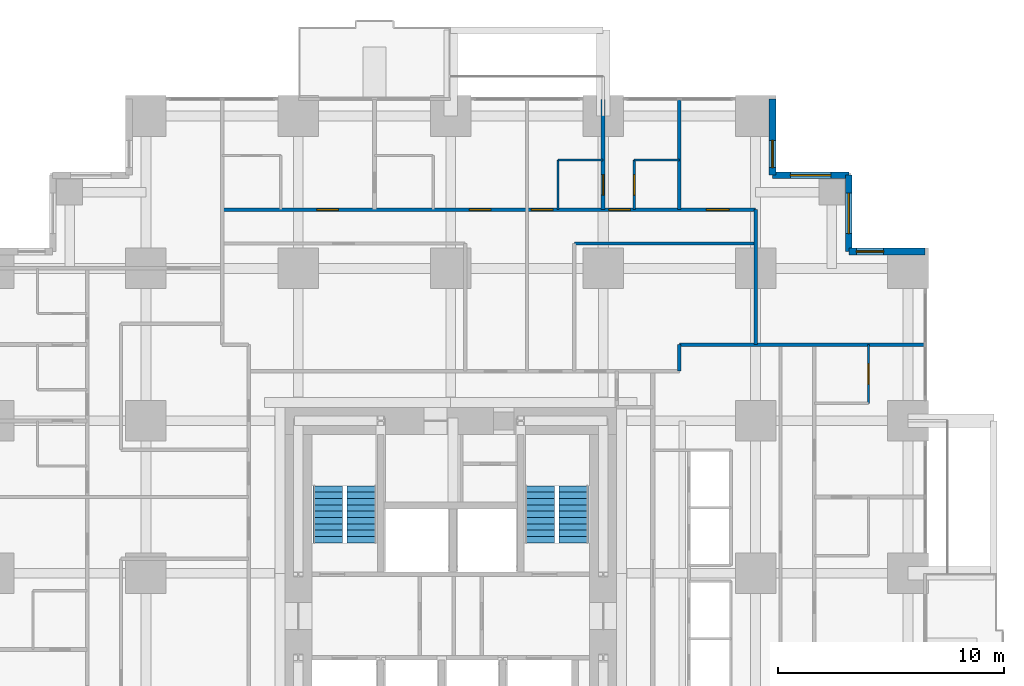
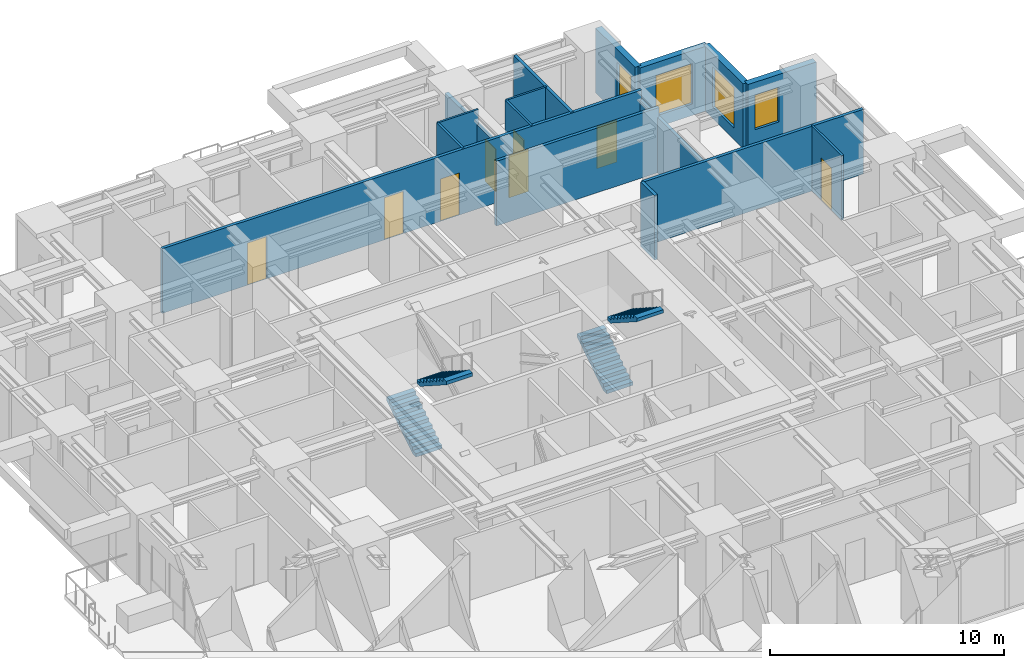
# One storey, part 13 of 14: 16 walls, 8 doors, 4 stair flights, 4 windows, 12 openings, 2 elements without a shape of their own.
"""IFC4 building model written with IfcOpenShell, lengths in metres."""

from ifc_helpers import new_model, si_unit, direction, frame, frame_2d, origin, place, context, subcontext, project, spatial, polyline, rectangle, outline, extrude, material, layer, layer_set, type_object, element, fill, aggregate, save


model = new_model("IFC4")

# Units and contexts
model_context = context("Model", 3, precision=1e-05, world=origin(), true_north=direction((0.0, 1.0)))
body_context = subcontext(model_context, "Body", "Model", "MODEL_VIEW")
ifc_project = project(units=[si_unit("LENGTHUNIT", "METRE"), si_unit("AREAUNIT", "SQUARE_METRE"), si_unit("VOLUMEUNIT", "CUBIC_METRE"), si_unit("PLANEANGLEUNIT", "RADIAN"), si_unit("MASSUNIT", "GRAM", prefix="KILO")], contexts=[model_context])

# Site, building, storey
site_placement = place(None, origin())
site = spatial("IfcSite", under=ifc_project, at=site_placement, CompositionType="ELEMENT")
building_placement = place(site_placement, origin())
building = spatial("IfcBuilding", under=site, at=building_placement, Name="Nyansa Garden Tower", CompositionType="ELEMENT")
storey_placement = place(building_placement, frame((0.0, 0.0, 68.39990234375)))
storey = spatial("IfcBuildingStorey", under=building, at=storey_placement, Name="L18", CompositionType="ELEMENT", Elevation=68.39990234375)

# Wall, opening, door
ifc_material_1 = material(Name="Dense blockwork, plastered both sides, 55 dB", Category="masonry")
ifc_layer_1 = layer(ifc_material_1, 0.175048828125)
ifc_layer_set_1 = layer_set([ifc_layer_1], Name="Acoustic party wall PW175")
wall_type_1 = type_object("IfcWallType", Name="Acoustic party wall PW175", PredefinedType="PARTITIONING", material=ifc_layer_set_1)
wall_1_placement = place(storey_placement, frame((27.0, 36.35009765625, 0.0), z_axis=(0.0, 0.0, 1.0), x_axis=(0.0, 1.0, 0.0)))
wall_1 = element("IfcWall", 1, at=wall_1_placement, inside=storey, type_object=wall_type_1, Name="Party wall", PredefinedType="PARTITIONING", context=body_context, shape_type="SweptSolid", body=[
    extrude(rectangle(XDim=4.8837890625, YDim=0.175048828125, at=frame_2d((2.44189453125, 0.0))), origin(), (0.0, 0.0, 1.0), 2.610107421875),
])
opening_1_placement = place(wall_1_placement, frame((0.64990234375, 0.0, 0.0)))
opening_1 = element("IfcOpeningElement", 2, at=opening_1_placement, cuts=wall_1, Name="Opening D02", PredefinedType="OPENING", context=body_context, shape_type="SweptSolid", body=[
    extrude(rectangle(XDim=0.89990234375, YDim=2.199951171875, at=frame_2d((0.449951171875, 1.10009765625))), frame((0.0, 0.097412109375, 0.0), z_axis=(0.0, -1.0, 0.0), x_axis=(1.0, 0.0, 0.0)), (0.0, 0.0, 1.0), 0.195068359375),
])
ifc_material_2 = material(Name="Timber flush door", Category="wood")
door_type_1 = type_object("IfcDoorType", Name="En-suite door D02 900x2200", OperationType="SINGLE_SWING_RIGHT", PredefinedType="DOOR", material=ifc_material_2)
door_1_placement = place(opening_1_placement, origin())
door_1 = element("IfcDoor", 3, at=door_1_placement, inside=storey, type_object=door_type_1, Name="Door L18-052", OperationType="SINGLE_SWING_RIGHT", OverallHeight=2.199951171875, OverallWidth=0.89990234375, PredefinedType="DOOR", context=body_context, shape_type="SweptSolid", body=[
    extrude(rectangle(XDim=0.89990234375, YDim=2.199951171875, at=frame_2d((0.449951171875, 1.10009765625))), frame((0.0, 0.02490234375, 0.0), z_axis=(0.0, -1.0, 0.0), x_axis=(1.0, 0.0, 0.0)), (0.0, 0.0, 1.0), 0.050048828125),
])
fill(opening_1, door_1)

# Wall, openings, doors
ifc_material_3 = material(Name="Blockwork, plastered both sides", Category="masonry")
ifc_layer_2 = layer(ifc_material_3, 0.14990234375)
ifc_layer_set_2 = layer_set([ifc_layer_2], Name="Partition PW150")
wall_type_2 = type_object("IfcWallType", Name="Partition PW150", PredefinedType="PARTITIONING", material=ifc_layer_set_2)
wall_2_placement = place(storey_placement, frame((10.125, 36.35009765625, 0.0), z_axis=(0.0, 0.0, 1.0), x_axis=(1.0, 0.0, 0.0)))
wall_2 = element("IfcWall", 4, at=wall_2_placement, inside=storey, type_object=wall_type_2, Name="Partition", PredefinedType="PARTITIONING", context=body_context, shape_type="SweptSolid", body=[
    extrude(rectangle(XDim=23.625, YDim=0.14990234375, at=frame_2d((11.8125, 0.0))), origin(), (0.0, 0.0, 1.0), 3.375),
])
opening_2_placement = place(wall_2_placement, frame((21.449951171875, 0.0, 0.0)))
opening_2 = element("IfcOpeningElement", 5, at=opening_2_placement, cuts=wall_2, Name="Opening D03", PredefinedType="OPENING", context=body_context, shape_type="SweptSolid", body=[
    extrude(rectangle(XDim=1.0, YDim=2.199951171875, at=frame_2d((0.5, 1.10009765625))), frame((0.0, 0.0849609375, 0.0), z_axis=(0.0, -1.0, 0.0), x_axis=(1.0, 0.0, 0.0)), (0.0, 0.0, 1.0), 0.169921875),
])
opening_3_placement = place(wall_2_placement, frame((17.125, 0.0, 0.0)))
opening_3 = element("IfcOpeningElement", 6, at=opening_3_placement, cuts=wall_2, Name="Opening D01", PredefinedType="OPENING", context=body_context, shape_type="SweptSolid", body=[
    extrude(rectangle(XDim=0.949951171875, YDim=2.199951171875, at=frame_2d((0.47509765625, 1.10009765625))), frame((0.0, 0.0849609375, 0.0), z_axis=(0.0, -1.0, 0.0), x_axis=(1.0, 0.0, 0.0)), (0.0, 0.0, 1.0), 0.169921875),
])
opening_4_placement = place(wall_2_placement, frame((13.699951171875, 0.0, 0.0)))
opening_4 = element("IfcOpeningElement", 7, at=opening_4_placement, cuts=wall_2, Name="Opening D01", PredefinedType="OPENING", context=body_context, shape_type="SweptSolid", body=[
    extrude(rectangle(XDim=0.949951171875, YDim=2.199951171875, at=frame_2d((0.47509765625, 1.10009765625))), frame((0.0, 0.0849609375, 0.0), z_axis=(0.0, -1.0, 0.0), x_axis=(1.0, 0.0, 0.0)), (0.0, 0.0, 1.0), 0.169921875),
])
opening_5_placement = place(wall_2_placement, frame((4.199951171875, 0.0, 0.0)))
opening_5 = element("IfcOpeningElement", 8, at=opening_5_placement, cuts=wall_2, Name="Opening D14", PredefinedType="OPENING", context=body_context, shape_type="SweptSolid", body=[
    extrude(rectangle(XDim=0.949951171875, YDim=2.199951171875, at=frame_2d((0.47509765625, 1.10009765625))), frame((0.0, 0.0849609375, 0.0), z_axis=(0.0, -1.0, 0.0), x_axis=(1.0, 0.0, 0.0)), (0.0, 0.0, 1.0), 0.169921875),
])
opening_6_placement = place(wall_2_placement, frame((10.949951171875, 0.0, 0.0)))
opening_6 = element("IfcOpeningElement", 9, at=opening_6_placement, cuts=wall_2, Name="Opening D14", PredefinedType="OPENING", context=body_context, shape_type="SweptSolid", body=[
    extrude(rectangle(XDim=0.949951171875, YDim=2.199951171875, at=frame_2d((0.47509765625, 1.10009765625))), frame((0.0, 0.0849609375, 0.0), z_axis=(0.0, -1.0, 0.0), x_axis=(1.0, 0.0, 0.0)), (0.0, 0.0, 1.0), 0.169921875),
])
ifc_material_4 = material(Name="Timber flush door, 30 minute fire resisting", Category="wood")
door_type_2 = type_object("IfcDoorType", Name="Bedroom door D01 950x2200", OperationType="SINGLE_SWING_LEFT", PredefinedType="DOOR", material=ifc_material_4)
door_2_placement = place(opening_3_placement, origin())
door_2 = element("IfcDoor", 10, at=door_2_placement, inside=storey, type_object=door_type_2, Name="Door L18-049", OperationType="SINGLE_SWING_LEFT", OverallHeight=2.199951171875, OverallWidth=0.949951171875, PredefinedType="DOOR", context=body_context, shape_type="SweptSolid", body=[
    extrude(rectangle(XDim=0.949951171875, YDim=2.199951171875, at=frame_2d((0.47509765625, 1.10009765625))), frame((0.0, 0.02490234375, 0.0), z_axis=(0.0, -1.0, 0.0), x_axis=(1.0, 0.0, 0.0)), (0.0, 0.0, 1.0), 0.050048828125),
])
fill(opening_3, door_2)
door_3_placement = place(opening_4_placement, origin())
door_3 = element("IfcDoor", 11, at=door_3_placement, inside=storey, type_object=door_type_2, Name="Door L18-051", OperationType="SINGLE_SWING_LEFT", OverallHeight=2.199951171875, OverallWidth=0.949951171875, PredefinedType="DOOR", context=body_context, shape_type="SweptSolid", body=[
    extrude(rectangle(XDim=0.949951171875, YDim=2.199951171875, at=frame_2d((0.47509765625, 1.10009765625))), frame((0.0, 0.02490234375, 0.0), z_axis=(0.0, -1.0, 0.0), x_axis=(1.0, 0.0, 0.0)), (0.0, 0.0, 1.0), 0.050048828125),
])
fill(opening_4, door_3)
ifc_material_5 = material(Name="Timber flush door, 60 minute fire resisting", Category="wood")
door_type_3 = type_object("IfcDoorType", Name="Cluster entrance door D03 1000x2200", OperationType="SINGLE_SWING_LEFT", PredefinedType="DOOR", material=ifc_material_5)
door_4_placement = place(opening_2_placement, origin())
door_4 = element("IfcDoor", 12, at=door_4_placement, inside=storey, type_object=door_type_3, Name="Door L18-048", OperationType="SINGLE_SWING_LEFT", OverallHeight=2.199951171875, OverallWidth=1.0, PredefinedType="DOOR", context=body_context, shape_type="SweptSolid", body=[
    extrude(rectangle(XDim=1.0, YDim=2.199951171875, at=frame_2d((0.5, 1.10009765625))), frame((0.0, 0.02490234375, 0.0), z_axis=(0.0, -1.0, 0.0), x_axis=(1.0, 0.0, 0.0)), (0.0, 0.0, 1.0), 0.050048828125),
])
fill(opening_2, door_4)
ifc_material_6 = material(Name="Timber flush door, 60 minute fire resisting, self-closing", Category="wood")
door_type_4 = type_object("IfcDoorType", Name="Studio entrance door D14 950x2200", OperationType="SINGLE_SWING_LEFT", PredefinedType="DOOR", material=ifc_material_6)
door_5_placement = place(opening_5_placement, origin())
door_5 = element("IfcDoor", 13, at=door_5_placement, inside=storey, type_object=door_type_4, Name="Door L18-054", OperationType="SINGLE_SWING_LEFT", OverallHeight=2.199951171875, OverallWidth=0.949951171875, PredefinedType="DOOR", context=body_context, shape_type="SweptSolid", body=[
    extrude(rectangle(XDim=0.949951171875, YDim=2.199951171875, at=frame_2d((0.47509765625, 1.10009765625))), frame((0.0, 0.02490234375, 0.0), z_axis=(0.0, -1.0, 0.0), x_axis=(1.0, 0.0, 0.0)), (0.0, 0.0, 1.0), 0.050048828125),
])
fill(opening_5, door_5)
door_6_placement = place(opening_6_placement, origin())
door_6 = element("IfcDoor", 14, at=door_6_placement, inside=storey, type_object=door_type_4, Name="Door L18-056", OperationType="SINGLE_SWING_LEFT", OverallHeight=2.199951171875, OverallWidth=0.949951171875, PredefinedType="DOOR", context=body_context, shape_type="SweptSolid", body=[
    extrude(rectangle(XDim=0.949951171875, YDim=2.199951171875, at=frame_2d((0.47509765625, 1.10009765625))), frame((0.0, 0.02490234375, 0.0), z_axis=(0.0, -1.0, 0.0), x_axis=(1.0, 0.0, 0.0)), (0.0, 0.0, 1.0), 0.050048828125),
])
fill(opening_6, door_6)

# Walls
wall_3_placement = place(storey_placement, frame((25.72509765625, 34.85009765625, 0.0), z_axis=(0.0, 0.0, 1.0), x_axis=(1.0, 0.0, 0.0)))
element("IfcWall", 15, at=wall_3_placement, inside=storey, type_object=wall_type_2, Name="Partition", PredefinedType="PARTITIONING", context=body_context, shape_type="SweptSolid", body=[
    extrude(rectangle(XDim=8.02490234375, YDim=0.14990234375, at=frame_2d((4.012451171875, 0.0))), origin(), (0.0, 0.0, 1.0), 3.375),
])
wall_4_placement = place(storey_placement, frame((30.375, 29.199951171875, 0.0), z_axis=(0.0, 0.0, 1.0), x_axis=(0.0, 1.0, 0.0)))
element("IfcWall", 16, at=wall_4_placement, inside=storey, type_object=wall_type_2, Name="Partition", PredefinedType="PARTITIONING", context=body_context, shape_type="SweptSolid", body=[
    extrude(rectangle(XDim=1.175048828125, YDim=0.14990234375, at=frame_2d((0.58740234375, 0.0))), origin(), (0.0, 0.0, 1.0), 3.375),
])
wall_5_placement = place(storey_placement, frame((30.375, 30.375, 0.0), z_axis=(0.0, 0.0, 1.0), x_axis=(1.0, 0.0, 0.0)))
element("IfcWall", 17, at=wall_5_placement, inside=storey, type_object=wall_type_2, Name="Partition", PredefinedType="PARTITIONING", context=body_context, shape_type="SweptSolid", body=[
    extrude(rectangle(XDim=10.85888671875, YDim=0.14990234375, at=frame_2d((5.429443359375, 0.0))), origin(), (0.0, 0.0, 1.0), 3.375),
])
wall_6_placement = place(storey_placement, frame((30.375, 36.35009765625, 0.0), z_axis=(0.0, 0.0, 1.0), x_axis=(0.0, 1.0, 0.0)))
element("IfcWall", 18, at=wall_6_placement, inside=storey, type_object=wall_type_2, Name="Partition", PredefinedType="PARTITIONING", context=body_context, shape_type="SweptSolid", body=[
    extrude(rectangle(XDim=4.8837890625, YDim=0.14990234375, at=frame_2d((2.44189453125, 0.0))), origin(), (0.0, 0.0, 1.0), 3.375),
])
wall_7_placement = place(storey_placement, frame((33.75, 30.375, 0.0), z_axis=(0.0, 0.0, 1.0), x_axis=(0.0, 1.0, 0.0)))
element("IfcWall", 19, at=wall_7_placement, inside=storey, type_object=wall_type_2, Name="Partition", PredefinedType="PARTITIONING", context=body_context, shape_type="SweptSolid", body=[
    extrude(rectangle(XDim=5.97509765625, YDim=0.14990234375, at=frame_2d((2.987548828125, 0.0))), origin(), (0.0, 0.0, 1.0), 2.877197265625),
])

# Wall, opening, window
ifc_material_7 = material(Name="Turquoise glazed tile on concrete blockwork", Category="masonry")
ifc_layer_3 = layer(ifc_material_7, 0.300048828125)
ifc_layer_set_3 = layer_set([ifc_layer_3], Name="Tiled corner wall TW300")
wall_type_3 = type_object("IfcWallType", Name="Tiled corner wall TW300", PredefinedType="SOLIDWALL", material=ifc_layer_set_3)
wall_8_placement = place(storey_placement, frame((41.25, 34.5, 0.0), z_axis=(0.0, 0.0, 1.0), x_axis=(-1.0, 0.0, 0.0)))
wall_8 = element("IfcWall", 20, at=wall_8_placement, inside=storey, type_object=wall_type_3, Name="Tiled corner wall L18", PredefinedType="SOLIDWALL", context=body_context, shape_type="SweptSolid", body=[
    extrude(rectangle(XDim=3.375, YDim=0.300048828125, at=frame_2d((1.6875, 0.0))), origin(), (0.0, 0.0, 1.0), 3.375),
])
opening_7_placement = place(wall_8_placement, frame((1.83251953125, 0.0, 0.89990234375)))
opening_7 = element("IfcOpeningElement", 21, at=opening_7_placement, cuts=wall_8, Name="Opening W4", PredefinedType="OPENING", context=body_context, shape_type="SweptSolid", body=[
    extrude(rectangle(XDim=1.199951171875, YDim=1.800048828125, at=frame_2d((0.60009765625, 0.89990234375))), frame((0.0, 0.159912109375, 0.0), z_axis=(0.0, -1.0, 0.0), x_axis=(1.0, 0.0, 0.0)), (0.0, 0.0, 1.0), 0.320068359375),
])
ifc_material_8 = material(Name="Black aluminium frame, dark tinted double glazing", Category="aluminium")
window_type_1 = type_object("IfcWindowType", Name="Window W4 1200x1800", PartitioningType="SINGLE_PANEL", PredefinedType="WINDOW", material=ifc_material_8)
window_1_placement = place(opening_7_placement, origin())
window_1 = element("IfcWindow", 22, at=window_1_placement, inside=storey, type_object=window_type_1, Name="Corner window L18", OverallHeight=1.800048828125, OverallWidth=1.199951171875, PartitioningType="SINGLE_PANEL", PredefinedType="WINDOW", context=body_context, shape_type="SweptSolid", body=[
    extrude(rectangle(XDim=1.199951171875, YDim=1.800048828125, at=frame_2d((0.60009765625, 0.89990234375))), frame((0.0, 0.030029296875, 0.0), z_axis=(0.0, -1.0, 0.0), x_axis=(1.0, 0.0, 0.0)), (0.0, 0.0, 1.0), 0.06005859375),
])
fill(opening_7, window_1)

wall_9_placement = place(storey_placement, frame((37.875, 34.5, 0.0), z_axis=(0.0, 0.0, 1.0), x_axis=(0.0, 1.0, 0.0)))
wall_9 = element("IfcWall", 23, at=wall_9_placement, inside=storey, type_object=wall_type_3, Name="Tiled corner wall L18", PredefinedType="SOLIDWALL", context=body_context, shape_type="SweptSolid", body=[
    extrude(rectangle(XDim=3.375, YDim=0.300048828125, at=frame_2d((1.6875, 0.0))), origin(), (0.0, 0.0, 1.0), 3.375),
])
opening_8_placement = place(wall_9_placement, frame((0.78759765625, 0.0, 0.60009765625)))
opening_8 = element("IfcOpeningElement", 24, at=opening_8_placement, cuts=wall_9, Name="Opening W2", PredefinedType="OPENING", context=body_context, shape_type="SweptSolid", body=[
    extrude(rectangle(XDim=1.800048828125, YDim=2.10009765625, at=frame_2d((0.89990234375, 1.050048828125))), frame((0.0, 0.159912109375, 0.0), z_axis=(0.0, -1.0, 0.0), x_axis=(1.0, 0.0, 0.0)), (0.0, 0.0, 1.0), 0.320068359375),
])
ifc_material_9 = material(Name="Black aluminium frame, dark tinted double glazing", Category="aluminium")
window_type_2 = type_object("IfcWindowType", Name="Window W2 1800x2100", PartitioningType="SINGLE_PANEL", PredefinedType="WINDOW", material=ifc_material_9)
window_2_placement = place(opening_8_placement, origin())
window_2 = element("IfcWindow", 25, at=window_2_placement, inside=storey, type_object=window_type_2, Name="Corner window L18", OverallHeight=2.10009765625, OverallWidth=1.800048828125, PartitioningType="SINGLE_PANEL", PredefinedType="WINDOW", context=body_context, shape_type="SweptSolid", body=[
    extrude(rectangle(XDim=1.800048828125, YDim=2.10009765625, at=frame_2d((0.89990234375, 1.050048828125))), frame((0.0, 0.030029296875, 0.0), z_axis=(0.0, -1.0, 0.0), x_axis=(1.0, 0.0, 0.0)), (0.0, 0.0, 1.0), 0.06005859375),
])
fill(opening_8, window_2)

wall_10_placement = place(storey_placement, frame((37.875, 37.875, 0.0), z_axis=(0.0, 0.0, 1.0), x_axis=(-1.0, 0.0, 0.0)))
wall_10 = element("IfcWall", 26, at=wall_10_placement, inside=storey, type_object=wall_type_3, Name="Tiled corner wall L18", PredefinedType="SOLIDWALL", context=body_context, shape_type="SweptSolid", body=[
    extrude(rectangle(XDim=3.375, YDim=0.300048828125, at=frame_2d((1.6875, 0.0))), origin(), (0.0, 0.0, 1.0), 3.375),
])
opening_9_placement = place(wall_10_placement, frame((0.78759765625, 0.0, 0.60009765625)))
opening_9 = element("IfcOpeningElement", 27, at=opening_9_placement, cuts=wall_10, Name="Opening W2", PredefinedType="OPENING", context=body_context, shape_type="SweptSolid", body=[
    extrude(rectangle(XDim=1.800048828125, YDim=2.10009765625, at=frame_2d((0.89990234375, 1.050048828125))), frame((0.0, 0.159912109375, 0.0), z_axis=(0.0, -1.0, 0.0), x_axis=(1.0, 0.0, 0.0)), (0.0, 0.0, 1.0), 0.320068359375),
])
window_3_placement = place(opening_9_placement, origin())
window_3 = element("IfcWindow", 28, at=window_3_placement, inside=storey, type_object=window_type_2, Name="Corner window L18", OverallHeight=2.10009765625, OverallWidth=1.800048828125, PartitioningType="SINGLE_PANEL", PredefinedType="WINDOW", context=body_context, shape_type="SweptSolid", body=[
    extrude(rectangle(XDim=1.800048828125, YDim=2.10009765625, at=frame_2d((0.89990234375, 1.050048828125))), frame((0.0, 0.030029296875, 0.0), z_axis=(0.0, -1.0, 0.0), x_axis=(1.0, 0.0, 0.0)), (0.0, 0.0, 1.0), 0.06005859375),
])
fill(opening_9, window_3)

wall_11_placement = place(storey_placement, frame((34.5, 37.875, 0.0), z_axis=(0.0, 0.0, 1.0), x_axis=(0.0, 1.0, 0.0)))
wall_11 = element("IfcWall", 29, at=wall_11_placement, inside=storey, type_object=wall_type_3, Name="Tiled corner wall L18", PredefinedType="SOLIDWALL", context=body_context, shape_type="SweptSolid", body=[
    extrude(rectangle(XDim=3.375, YDim=0.300048828125, at=frame_2d((1.6875, 0.0))), origin(), (0.0, 0.0, 1.0), 3.375),
])
opening_10_placement = place(wall_11_placement, frame((0.342529296875, 0.0, 0.89990234375)))
opening_10 = element("IfcOpeningElement", 30, at=opening_10_placement, cuts=wall_11, Name="Opening W4", PredefinedType="OPENING", context=body_context, shape_type="SweptSolid", body=[
    extrude(rectangle(XDim=1.199951171875, YDim=1.800048828125, at=frame_2d((0.60009765625, 0.89990234375))), frame((0.0, 0.159912109375, 0.0), z_axis=(0.0, -1.0, 0.0), x_axis=(1.0, 0.0, 0.0)), (0.0, 0.0, 1.0), 0.320068359375),
])
window_4_placement = place(opening_10_placement, origin())
window_4 = element("IfcWindow", 31, at=window_4_placement, inside=storey, type_object=window_type_1, Name="Corner window L18", OverallHeight=1.800048828125, OverallWidth=1.199951171875, PartitioningType="SINGLE_PANEL", PredefinedType="WINDOW", context=body_context, shape_type="SweptSolid", body=[
    extrude(rectangle(XDim=1.199951171875, YDim=1.800048828125, at=frame_2d((0.60009765625, 0.89990234375))), frame((0.0, 0.030029296875, 0.0), z_axis=(0.0, -1.0, 0.0), x_axis=(1.0, 0.0, 0.0)), (0.0, 0.0, 1.0), 0.06005859375),
])
fill(opening_10, window_4)

# Walls
ifc_material_10 = material(Name="Moisture resistant board on steel studs, tiled", Category="steel")
ifc_layer_4 = layer(ifc_material_10, 0.10009765625)
ifc_layer_set_4 = layer_set([ifc_layer_4], Name="Wet wall PW100")
wall_type_4 = type_object("IfcWallType", Name="Wet wall PW100", PredefinedType="PARTITIONING", material=ifc_layer_set_4)
wall_12_placement = place(storey_placement, frame((25.0, 36.35009765625, 0.0), z_axis=(0.0, 0.0, 1.0), x_axis=(0.0, 1.0, 0.0)))
element("IfcWall", 32, at=wall_12_placement, inside=storey, type_object=wall_type_4, Name="Wet wall", PredefinedType="PARTITIONING", context=body_context, shape_type="SweptSolid", body=[
    extrude(rectangle(XDim=2.199951171875, YDim=0.10009765625, at=frame_2d((1.10009765625, 0.0))), origin(), (0.0, 0.0, 1.0), 3.375),
])
wall_13_placement = place(storey_placement, frame((25.0, 38.550048828125, 0.0), z_axis=(0.0, 0.0, 1.0), x_axis=(1.0, 0.0, 0.0)))
element("IfcWall", 33, at=wall_13_placement, inside=storey, type_object=wall_type_4, Name="Wet wall", PredefinedType="PARTITIONING", context=body_context, shape_type="SweptSolid", body=[
    extrude(rectangle(XDim=2.0, YDim=0.10009765625, at=frame_2d((1.0, 0.0))), origin(), (0.0, 0.0, 1.0), 3.375),
])

# Wall, opening, door
wall_14_placement = place(storey_placement, frame((28.375, 36.35009765625, 0.0), z_axis=(0.0, 0.0, 1.0), x_axis=(0.0, 1.0, 0.0)))
wall_14 = element("IfcWall", 34, at=wall_14_placement, inside=storey, type_object=wall_type_4, Name="Wet wall", PredefinedType="PARTITIONING", context=body_context, shape_type="SweptSolid", body=[
    extrude(rectangle(XDim=2.199951171875, YDim=0.10009765625, at=frame_2d((1.10009765625, 0.0))), origin(), (0.0, 0.0, 1.0), 3.375),
])
opening_11_placement = place(wall_14_placement, frame((0.64990234375, 0.0, 0.0)))
opening_11 = element("IfcOpeningElement", 35, at=opening_11_placement, cuts=wall_14, Name="Opening D02", PredefinedType="OPENING", context=body_context, shape_type="SweptSolid", body=[
    extrude(rectangle(XDim=0.89990234375, YDim=2.199951171875, at=frame_2d((0.449951171875, 1.10009765625))), frame((0.0, 0.06005859375, 0.0), z_axis=(0.0, -1.0, 0.0), x_axis=(1.0, 0.0, 0.0)), (0.0, 0.0, 1.0), 0.1201171875),
])
door_7_placement = place(opening_11_placement, origin())
door_7 = element("IfcDoor", 36, at=door_7_placement, inside=storey, type_object=door_type_1, Name="Door L18-050", OperationType="SINGLE_SWING_RIGHT", OverallHeight=2.199951171875, OverallWidth=0.89990234375, PredefinedType="DOOR", context=body_context, shape_type="SweptSolid", body=[
    extrude(rectangle(XDim=0.89990234375, YDim=2.199951171875, at=frame_2d((0.449951171875, 1.10009765625))), frame((0.0, 0.02490234375, 0.0), z_axis=(0.0, -1.0, 0.0), x_axis=(1.0, 0.0, 0.0)), (0.0, 0.0, 1.0), 0.050048828125),
])
fill(opening_11, door_7)

# Wall
wall_15_placement = place(storey_placement, frame((28.375, 38.550048828125, 0.0), z_axis=(0.0, 0.0, 1.0), x_axis=(1.0, 0.0, 0.0)))
element("IfcWall", 37, at=wall_15_placement, inside=storey, type_object=wall_type_4, Name="Wet wall", PredefinedType="PARTITIONING", context=body_context, shape_type="SweptSolid", body=[
    extrude(rectangle(XDim=2.0, YDim=0.10009765625, at=frame_2d((1.0, 0.0))), origin(), (0.0, 0.0, 1.0), 3.375),
])

# Wall, opening, door
wall_16_placement = place(storey_placement, frame((38.75, 27.77490234375, 0.0), z_axis=(0.0, 0.0, 1.0), x_axis=(0.0, 1.0, 0.0)))
wall_16 = element("IfcWall", 38, at=wall_16_placement, inside=storey, type_object=wall_type_4, Name="Wet wall", PredefinedType="PARTITIONING", context=body_context, shape_type="SweptSolid", body=[
    extrude(rectangle(XDim=2.60009765625, YDim=0.10009765625, at=frame_2d((1.300048828125, 0.0))), origin(), (0.0, 0.0, 1.0), 3.375),
])
opening_12_placement = place(wall_16_placement, frame((0.85009765625, 0.0, 0.0)))
opening_12 = element("IfcOpeningElement", 39, at=opening_12_placement, cuts=wall_16, Name="Opening D02", PredefinedType="OPENING", context=body_context, shape_type="SweptSolid", body=[
    extrude(rectangle(XDim=0.89990234375, YDim=2.199951171875, at=frame_2d((0.449951171875, 1.10009765625))), frame((0.0, 0.06005859375, 0.0), z_axis=(0.0, -1.0, 0.0), x_axis=(1.0, 0.0, 0.0)), (0.0, 0.0, 1.0), 0.1201171875),
])
door_8_placement = place(opening_12_placement, origin())
door_8 = element("IfcDoor", 40, at=door_8_placement, inside=storey, type_object=door_type_1, Name="Door L18-041", OperationType="SINGLE_SWING_RIGHT", OverallHeight=2.199951171875, OverallWidth=0.89990234375, PredefinedType="DOOR", context=body_context, shape_type="SweptSolid", body=[
    extrude(rectangle(XDim=0.89990234375, YDim=2.199951171875, at=frame_2d((0.449951171875, 1.10009765625))), frame((0.0, 0.02490234375, 0.0), z_axis=(0.0, -1.0, 0.0), x_axis=(1.0, 0.0, 0.0)), (0.0, 0.0, 1.0), 0.050048828125),
])
fill(opening_12, door_8)

# Stair, stair flights
ifc_material_11 = material(Name="Precast concrete C40/50", Category="concrete")
stair_type_1 = type_object("IfcStairType", Name="Stair S1 180x280", PredefinedType="HALF_TURN_STAIR", material=ifc_material_11)
stair_1_placement = place(storey_placement, origin())
stair_1 = element("IfcStair", 41, at=stair_1_placement, inside=storey, type_object=stair_type_1, Name="Stair S1 L18", PredefinedType="HALF_TURN_STAIR")
ifc_material_12 = material(Name="Precast concrete C40/50", Category="concrete")
stair_flight_type_1 = type_object("IfcStairFlightType", Name="Stair flight S1 180x280x10", PredefinedType="STRAIGHT", material=ifc_material_12)
stair_flight_1_placement = place(storey_placement, frame((14.800048828125, 21.60009765625, 0.0), z_axis=(0.0, 0.0, 1.0), x_axis=(0.0, 1.0, 0.0)))
stair_flight_1 = element("IfcStairFlight", 42, at=stair_flight_1_placement, type_object=stair_flight_type_1, Name="S1 flight 1", NumberOfRisers=10, NumberOfTreads=9, PredefinedType="STRAIGHT", RiserHeight=0.18, TreadLength=0.28, context=body_context, shape_type="SweptSolid", body=[
    extrude(outline(polyline([(0.0, 0.0), (0.0, 0.179931640625), (0.280029296875, 0.179931640625), (0.280029296875, 0.360107421875), (0.56005859375, 0.360107421875), (0.56005859375, 0.5400390625), (0.840087890625, 0.5400390625), (0.840087890625, 0.719970703125), (1.1201171875, 0.719970703125), (1.1201171875, 0.89990234375), (1.39990234375, 0.89990234375), (1.39990234375, 1.080078125), (1.679931640625, 1.080078125), (1.679931640625, 1.260009765625), (1.9599609375, 1.260009765625), (1.9599609375, 1.43994140625), (2.239990234375, 1.43994140625), (2.239990234375, 1.6201171875), (2.52001953125, 1.6201171875), (2.52001953125, 1.800048828125), (2.52001953125, 1.44189453125), (0.277099609375, 0.0), (0.0, 0.0)])), frame((0.0, 0.64990234375, 0.0), z_axis=(0.0, -1.0, 0.0), x_axis=(1.0, 0.0, 0.0)), (0.0, 0.0, 1.0), 1.300048828125),
])
stair_flight_2_placement = place(storey_placement, frame((16.300048828125, 24.1201171875, 1.800048828125), z_axis=(0.0, 0.0, 1.0), x_axis=(0.0, -1.0, 0.0)))
stair_flight_2 = element("IfcStairFlight", 43, at=stair_flight_2_placement, type_object=stair_flight_type_1, Name="S1 flight 2", NumberOfRisers=10, NumberOfTreads=9, PredefinedType="STRAIGHT", RiserHeight=0.18, TreadLength=0.28, context=body_context, shape_type="SweptSolid", body=[
    extrude(outline(polyline([(0.0, 0.0), (0.0, 0.179931640625), (0.280029296875, 0.179931640625), (0.280029296875, 0.360107421875), (0.56005859375, 0.360107421875), (0.56005859375, 0.5400390625), (0.840087890625, 0.5400390625), (0.840087890625, 0.719970703125), (1.1201171875, 0.719970703125), (1.1201171875, 0.89990234375), (1.39990234375, 0.89990234375), (1.39990234375, 1.080078125), (1.679931640625, 1.080078125), (1.679931640625, 1.260009765625), (1.9599609375, 1.260009765625), (1.9599609375, 1.43994140625), (2.239990234375, 1.43994140625), (2.239990234375, 1.6201171875), (2.52001953125, 1.6201171875), (2.52001953125, 1.800048828125), (2.52001953125, 1.44189453125), (0.277099609375, 0.0), (0.0, 0.0)])), frame((0.0, 0.64990234375, 0.0), z_axis=(0.0, -1.0, 0.0), x_axis=(1.0, 0.0, 0.0)), (0.0, 0.0, 1.0), 1.300048828125),
])
aggregate(stair_1, [stair_flight_1, stair_flight_2])

ifc_material_13 = material(Name="Precast concrete C40/50", Category="concrete")
stair_type_2 = type_object("IfcStairType", Name="Stair S2 180x280", PredefinedType="HALF_TURN_STAIR", material=ifc_material_13)
stair_2_placement = place(storey_placement, origin())
stair_2 = element("IfcStair", 44, at=stair_2_placement, inside=storey, type_object=stair_type_2, Name="Stair S2 L18", PredefinedType="HALF_TURN_STAIR")
ifc_material_14 = material(Name="Precast concrete C40/50", Category="concrete")
stair_flight_type_2 = type_object("IfcStairFlightType", Name="Stair flight S2 180x280x10", PredefinedType="STRAIGHT", material=ifc_material_14)
stair_flight_3_placement = place(storey_placement, frame((24.199951171875, 21.60009765625, 0.0), z_axis=(0.0, 0.0, 1.0), x_axis=(0.0, 1.0, 0.0)))
stair_flight_3 = element("IfcStairFlight", 45, at=stair_flight_3_placement, type_object=stair_flight_type_2, Name="S2 flight 1", NumberOfRisers=10, NumberOfTreads=9, PredefinedType="STRAIGHT", RiserHeight=0.18, TreadLength=0.28, context=body_context, shape_type="SweptSolid", body=[
    extrude(outline(polyline([(0.0, 0.0), (0.0, 0.179931640625), (0.280029296875, 0.179931640625), (0.280029296875, 0.360107421875), (0.56005859375, 0.360107421875), (0.56005859375, 0.5400390625), (0.840087890625, 0.5400390625), (0.840087890625, 0.719970703125), (1.1201171875, 0.719970703125), (1.1201171875, 0.89990234375), (1.39990234375, 0.89990234375), (1.39990234375, 1.080078125), (1.679931640625, 1.080078125), (1.679931640625, 1.260009765625), (1.9599609375, 1.260009765625), (1.9599609375, 1.43994140625), (2.239990234375, 1.43994140625), (2.239990234375, 1.6201171875), (2.52001953125, 1.6201171875), (2.52001953125, 1.800048828125), (2.52001953125, 1.44189453125), (0.277099609375, 0.0), (0.0, 0.0)])), frame((0.0, 0.64990234375, 0.0), z_axis=(0.0, -1.0, 0.0), x_axis=(1.0, 0.0, 0.0)), (0.0, 0.0, 1.0), 1.300048828125),
])
stair_flight_4_placement = place(storey_placement, frame((25.699951171875, 24.1201171875, 1.800048828125), z_axis=(0.0, 0.0, 1.0), x_axis=(0.0, -1.0, 0.0)))
stair_flight_4 = element("IfcStairFlight", 46, at=stair_flight_4_placement, type_object=stair_flight_type_2, Name="S2 flight 2", NumberOfRisers=10, NumberOfTreads=9, PredefinedType="STRAIGHT", RiserHeight=0.18, TreadLength=0.28, context=body_context, shape_type="SweptSolid", body=[
    extrude(outline(polyline([(0.0, 0.0), (0.0, 0.179931640625), (0.280029296875, 0.179931640625), (0.280029296875, 0.360107421875), (0.56005859375, 0.360107421875), (0.56005859375, 0.5400390625), (0.840087890625, 0.5400390625), (0.840087890625, 0.719970703125), (1.1201171875, 0.719970703125), (1.1201171875, 0.89990234375), (1.39990234375, 0.89990234375), (1.39990234375, 1.080078125), (1.679931640625, 1.080078125), (1.679931640625, 1.260009765625), (1.9599609375, 1.260009765625), (1.9599609375, 1.43994140625), (2.239990234375, 1.43994140625), (2.239990234375, 1.6201171875), (2.52001953125, 1.6201171875), (2.52001953125, 1.800048828125), (2.52001953125, 1.44189453125), (0.277099609375, 0.0), (0.0, 0.0)])), frame((0.0, 0.64990234375, 0.0), z_axis=(0.0, -1.0, 0.0), x_axis=(1.0, 0.0, 0.0)), (0.0, 0.0, 1.0), 1.300048828125),
])
aggregate(stair_2, [stair_flight_3, stair_flight_4])

save(model, "model.ifc")
